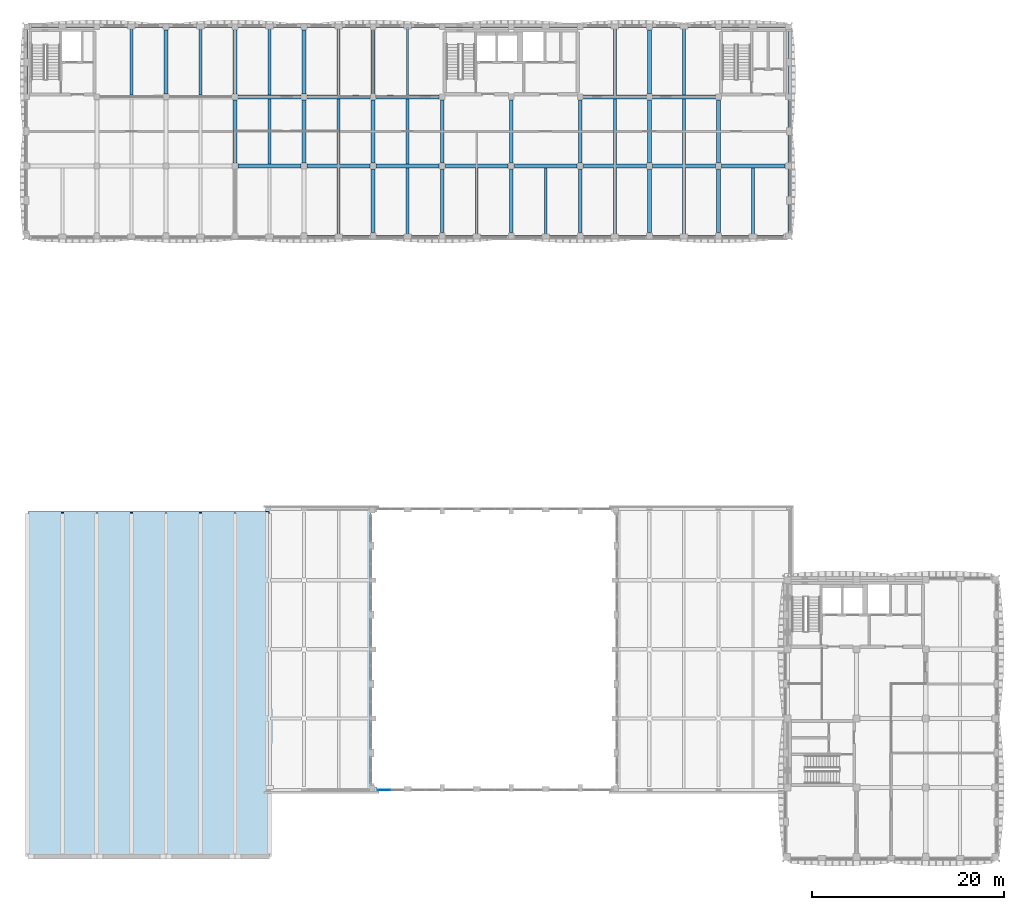
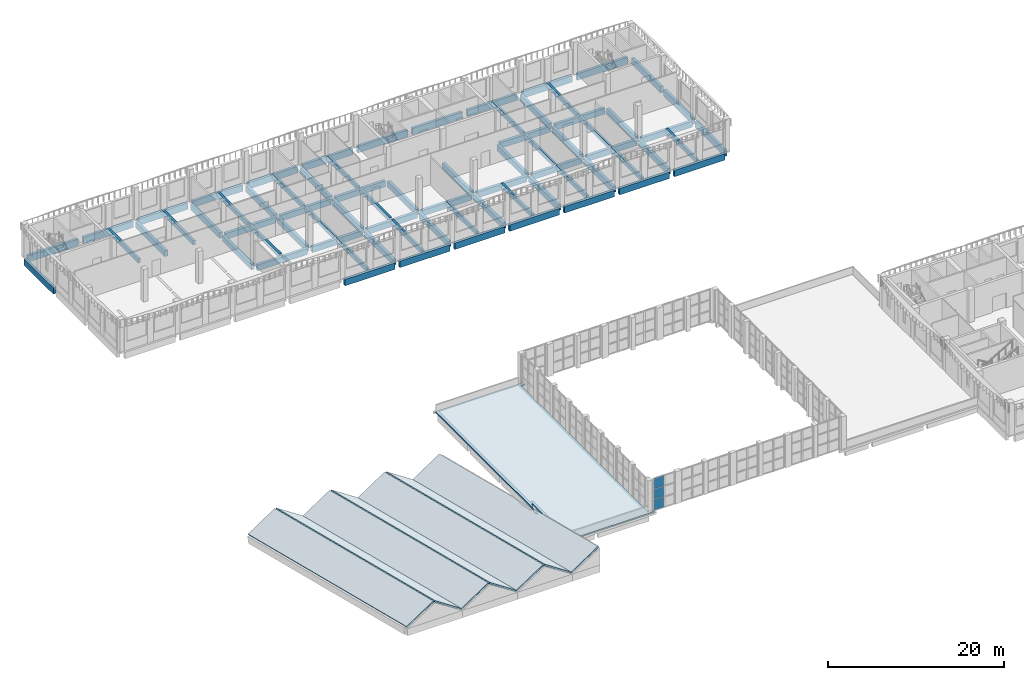
# One storey, part 9 of 44: 73 beams, 8 slabs, 3 plates, 1 element without a shape of its own.
"""IFC4 building model written with IfcOpenShell, lengths in metres."""

from ifc_helpers import new_model, si_unit, direction, frame, origin, origin_2d, place, context, subcontext, project, spatial, polyline, rectangle, outline, extrude, material, layer, layer_set, material_profile, profile_set, type_object, element, aggregate, save


model = new_model("IFC4")

# Units and contexts
model_context = context("Model", 3, precision=1e-05, world=origin(), true_north=direction((0.0, 1.0)))
body_context = subcontext(model_context, "Body", "Model", "MODEL_VIEW")
ifc_project = project(units=[si_unit("LENGTHUNIT", "METRE"), si_unit("AREAUNIT", "SQUARE_METRE"), si_unit("VOLUMEUNIT", "CUBIC_METRE"), si_unit("PLANEANGLEUNIT", "RADIAN"), si_unit("MASSUNIT", "GRAM", prefix="KILO")], contexts=[model_context])

# Site, building, storey
site_placement = place(None, origin())
site = spatial("IfcSite", under=ifc_project, at=site_placement, CompositionType="ELEMENT")
building_placement = place(site_placement, origin())
building = spatial("IfcBuilding", under=site, at=building_placement, Name="Ussher Court Research Institute", CompositionType="ELEMENT")
storey_placement = place(building_placement, frame((0.0, 0.0, 18.89990234375)))
storey = spatial("IfcBuildingStorey", under=building, at=storey_placement, Name="L04", CompositionType="ELEMENT", Elevation=18.89990234375)

# Beams
ifc_material_1 = material(Name="Concrete C35/45", Category="concrete")
ifc_material_profile_1 = material_profile(ifc_material_1, rectangle(XDim=0.300048828125, YDim=0.60009765625, at=origin_2d()), Name="RC 300x600")
ifc_profile_set_1 = profile_set([ifc_material_profile_1], Name="Concrete C35/45")
beam_type_1 = type_object("IfcBeamType", Name="RC 300x600 beam", PredefinedType="BEAM", material=ifc_profile_set_1)
for number, where, z_axis, x_axis, name in (
    (1, (13.800048828125, 83.39990234375, -0.2998046875), (0.0, 1.0, 0.0), (-1.0, 0.0, 0.0), "B3 V5 L04-04"),
    (2, (21.0, 83.39990234375, -0.2998046875), (0.0, 1.0, 0.0), (-1.0, 0.0, 0.0), "B3 V5 L04-07"),
):
    element("IfcBeam", number, at=place(storey_placement, frame(where, z_axis=z_axis, x_axis=x_axis)), inside=storey, type_object=beam_type_1, Name=name, PredefinedType="BEAM", context=body_context, shape_type="SweptSolid", body=[
        extrude(rectangle(XDim=0.300048828125, YDim=0.60009765625, at=origin_2d()), origin(), (0.0, 0.0, 1.0), 7.050048828125),
    ])
beam_1_placement = place(storey_placement, frame((28.199951171875, 76.199951171875, -0.2998046875), z_axis=(0.0, 1.0, 0.0), x_axis=(-1.0, 0.0, 0.0)))
element("IfcBeam", 3, at=beam_1_placement, inside=storey, type_object=beam_type_1, Name="B3 V5 L04-09", PredefinedType="BEAM", context=body_context, shape_type="SweptSolid", body=[
    extrude(rectangle(XDim=0.300048828125, YDim=0.60009765625, at=origin_2d()), origin(), (0.0, 0.0, 1.0), 6.800048828125),
])
for number, where, z_axis, x_axis, name in (
    (4, (28.199951171875, 83.39990234375, -0.2998046875), (0.0, 1.0, 0.0), (-1.0, 0.0, 0.0), "B3 V5 L04-10"),
    (5, (35.39990234375, 68.75, -0.2998046875), (0.0, 1.0, 0.0), (-1.0, 0.0, 0.0), "B3 V5 L04-11"),
):
    element("IfcBeam", number, at=place(storey_placement, frame(where, z_axis=z_axis, x_axis=x_axis)), inside=storey, type_object=beam_type_1, Name=name, PredefinedType="BEAM", context=body_context, shape_type="SweptSolid", body=[
        extrude(rectangle(XDim=0.300048828125, YDim=0.60009765625, at=origin_2d()), origin(), (0.0, 0.0, 1.0), 7.050048828125),
    ])
beam_2_placement = place(storey_placement, frame((35.39990234375, 76.199951171875, -0.2998046875), z_axis=(0.0, 1.0, 0.0), x_axis=(-1.0, 0.0, 0.0)))
element("IfcBeam", 6, at=beam_2_placement, inside=storey, type_object=beam_type_1, Name="B3 V5 L04-12", PredefinedType="BEAM", context=body_context, shape_type="SweptSolid", body=[
    extrude(rectangle(XDim=0.300048828125, YDim=0.60009765625, at=origin_2d()), origin(), (0.0, 0.0, 1.0), 6.800048828125),
])
for number, where, z_axis, x_axis, name in (
    (7, (35.39990234375, 83.39990234375, -0.2998046875), (0.0, 1.0, 0.0), (-1.0, 0.0, 0.0), "B3 V5 L04-13"),
    (8, (42.60009765625, 68.75, -0.2998046875), (0.0, 1.0, 0.0), (-1.0, 0.0, 0.0), "B3 V5 L04-14"),
):
    element("IfcBeam", number, at=place(storey_placement, frame(where, z_axis=z_axis, x_axis=x_axis)), inside=storey, type_object=beam_type_1, Name=name, PredefinedType="BEAM", context=body_context, shape_type="SweptSolid", body=[
        extrude(rectangle(XDim=0.300048828125, YDim=0.60009765625, at=origin_2d()), origin(), (0.0, 0.0, 1.0), 7.050048828125),
    ])
beam_3_placement = place(storey_placement, frame((42.60009765625, 76.199951171875, -0.2998046875), z_axis=(0.0, 1.0, 0.0), x_axis=(-1.0, 0.0, 0.0)))
element("IfcBeam", 9, at=beam_3_placement, inside=storey, type_object=beam_type_1, Name="B3 V5 L04-15", PredefinedType="BEAM", context=body_context, shape_type="SweptSolid", body=[
    extrude(rectangle(XDim=0.300048828125, YDim=0.60009765625, at=origin_2d()), origin(), (0.0, 0.0, 1.0), 6.800048828125),
])
for number, where, z_axis, x_axis, name in (
    (10, (42.60009765625, 83.39990234375, -0.2998046875), (0.0, 1.0, 0.0), (-1.0, 0.0, 0.0), "B3 V5 L04-16"),
    (11, (49.800048828125, 68.75, -0.2998046875), (0.0, 1.0, 0.0), (-1.0, 0.0, 0.0), "B3 V5 L04-17"),
    (12, (57.0, 68.75, -0.2998046875), (0.0, 1.0, 0.0), (-1.0, 0.0, 0.0), "B3 V5 L04-18"),
    (13, (64.199951171875, 68.75, -0.2998046875), (0.0, 1.0, 0.0), (-1.0, 0.0, 0.0), "B3 V5 L04-19"),
):
    element("IfcBeam", number, at=place(storey_placement, frame(where, z_axis=z_axis, x_axis=x_axis)), inside=storey, type_object=beam_type_1, Name=name, PredefinedType="BEAM", context=body_context, shape_type="SweptSolid", body=[
        extrude(rectangle(XDim=0.300048828125, YDim=0.60009765625, at=origin_2d()), origin(), (0.0, 0.0, 1.0), 7.050048828125),
    ])
beam_4_placement = place(storey_placement, frame((64.199951171875, 76.199951171875, -0.2998046875), z_axis=(0.0, 1.0, 0.0), x_axis=(-1.0, 0.0, 0.0)))
element("IfcBeam", 14, at=beam_4_placement, inside=storey, type_object=beam_type_1, Name="B3 V5 L04-20", PredefinedType="BEAM", context=body_context, shape_type="SweptSolid", body=[
    extrude(rectangle(XDim=0.300048828125, YDim=0.60009765625, at=origin_2d()), origin(), (0.0, 0.0, 1.0), 6.800048828125),
])
for number, where, z_axis, x_axis, name in (
    (15, (64.199951171875, 83.39990234375, -0.2998046875), (0.0, 1.0, 0.0), (-1.0, 0.0, 0.0), "B3 V5 L04-21"),
    (16, (71.39990234375, 68.75, -0.2998046875), (0.0, 1.0, 0.0), (-1.0, 0.0, 0.0), "B3 V5 L04-22"),
):
    element("IfcBeam", number, at=place(storey_placement, frame(where, z_axis=z_axis, x_axis=x_axis)), inside=storey, type_object=beam_type_1, Name=name, PredefinedType="BEAM", context=body_context, shape_type="SweptSolid", body=[
        extrude(rectangle(XDim=0.300048828125, YDim=0.60009765625, at=origin_2d()), origin(), (0.0, 0.0, 1.0), 7.050048828125),
    ])
beam_5_placement = place(storey_placement, frame((71.39990234375, 76.199951171875, -0.2998046875), z_axis=(0.0, 1.0, 0.0), x_axis=(-1.0, 0.0, 0.0)))
element("IfcBeam", 17, at=beam_5_placement, inside=storey, type_object=beam_type_1, Name="B3 V5 L04-23", PredefinedType="BEAM", context=body_context, shape_type="SweptSolid", body=[
    extrude(rectangle(XDim=0.300048828125, YDim=0.60009765625, at=origin_2d()), origin(), (0.0, 0.0, 1.0), 6.800048828125),
])
for number, where, z_axis, x_axis, name in (
    (18, (71.39990234375, 83.39990234375, -0.2998046875), (0.0, 1.0, 0.0), (-1.0, 0.0, 0.0), "B3 V5 L04-24"),
    (19, (78.60009765625, 68.75, -0.2998046875), (0.0, 1.0, 0.0), (-1.0, 0.0, 0.0), "B3 V5 L04-25"),
):
    element("IfcBeam", number, at=place(storey_placement, frame(where, z_axis=z_axis, x_axis=x_axis)), inside=storey, type_object=beam_type_1, Name=name, PredefinedType="BEAM", context=body_context, shape_type="SweptSolid", body=[
        extrude(rectangle(XDim=0.300048828125, YDim=0.60009765625, at=origin_2d()), origin(), (0.0, 0.0, 1.0), 7.050048828125),
    ])
ifc_material_2 = material(Name="Concrete C35/45", Category="concrete")
ifc_material_profile_2 = material_profile(ifc_material_2, rectangle(XDim=0.35009765625, YDim=0.89990234375, at=origin_2d()), Name="RC 350x900")
ifc_profile_set_2 = profile_set([ifc_material_profile_2], Name="Concrete C35/45")
beam_type_2 = type_object("IfcBeamType", Name="RC 350x900 beam", PredefinedType="BEAM", material=ifc_profile_set_2)
for number, where, z_axis, x_axis, name in (
    (20, (32.125, 68.574951171875, -0.64990234375), (1.0, 0.0, 0.0), (0.0, 1.0, 0.0), "SB1 V5 L04-05"),
    (21, (39.324951171875, 68.574951171875, -0.64990234375), (1.0, 0.0, 0.0), (0.0, 1.0, 0.0), "SB1 V5 L04-06"),
    (22, (46.52490234375, 68.574951171875, -0.64990234375), (1.0, 0.0, 0.0), (0.0, 1.0, 0.0), "SB1 V5 L04-07"),
):
    element("IfcBeam", number, at=place(storey_placement, frame(where, z_axis=z_axis, x_axis=x_axis)), inside=storey, type_object=beam_type_2, Name=name, PredefinedType="BEAM", context=body_context, shape_type="SweptSolid", body=[
        extrude(rectangle(XDim=0.35009765625, YDim=0.89990234375, at=origin_2d()), origin(), (0.0, 0.0, 1.0), 6.550048828125),
    ])
beam_6_placement = place(storey_placement, frame((53.72509765625, 68.574951171875, -0.64990234375), z_axis=(1.0, 0.0, 0.0), x_axis=(0.0, 1.0, 0.0)))
element("IfcBeam", 23, at=beam_6_placement, inside=storey, type_object=beam_type_2, Name="SB1 V5 L04-08", PredefinedType="BEAM", context=body_context, shape_type="SweptSolid", body=[
    extrude(rectangle(XDim=0.35009765625, YDim=0.89990234375, at=origin_2d()), origin(), (0.0, 0.0, 1.0), 6.5498046875),
])
for number, where, z_axis, x_axis, name in (
    (24, (60.925048828125, 68.574951171875, -0.64990234375), (1.0, 0.0, 0.0), (0.0, 1.0, 0.0), "SB1 V5 L04-09"),
    (25, (68.125, 68.574951171875, -0.64990234375), (1.0, 0.0, 0.0), (0.0, 1.0, 0.0), "SB1 V5 L04-10"),
):
    element("IfcBeam", number, at=place(storey_placement, frame(where, z_axis=z_axis, x_axis=x_axis)), inside=storey, type_object=beam_type_2, Name=name, PredefinedType="BEAM", context=body_context, shape_type="SweptSolid", body=[
        extrude(rectangle(XDim=0.35009765625, YDim=0.89990234375, at=origin_2d()), origin(), (0.0, 0.0, 1.0), 6.550048828125),
    ])
for number, where, z_axis, x_axis, name in (
    (26, (75.324951171875, 68.574951171875, -0.64990234375), (1.0, 0.0, 0.0), (0.0, 1.0, 0.0), "SB1 V5 L04-11"),
    (27, (3.25, 90.625, -0.64990234375), (1.0, 0.0, 0.0), (0.0, 1.0, 0.0), "SB1 V5 L04-12"),
):
    element("IfcBeam", number, at=place(storey_placement, frame(where, z_axis=z_axis, x_axis=x_axis)), inside=storey, type_object=beam_type_2, Name=name, PredefinedType="BEAM", context=body_context, shape_type="SweptSolid", body=[
        extrude(rectangle(XDim=0.35009765625, YDim=0.89990234375, at=origin_2d()), origin(), (0.0, 0.0, 1.0), 6.625),
    ])
beam_7_placement = place(storey_placement, frame((10.52490234375, 90.625, -0.64990234375), z_axis=(1.0, 0.0, 0.0), x_axis=(0.0, 1.0, 0.0)))
element("IfcBeam", 28, at=beam_7_placement, inside=storey, type_object=beam_type_2, Name="SB1 V5 L04-13", PredefinedType="BEAM", context=body_context, shape_type="SweptSolid", body=[
    extrude(rectangle(XDim=0.35009765625, YDim=0.89990234375, at=origin_2d()), origin(), (0.0, 0.0, 1.0), 6.550048828125),
])
beam_8_placement = place(storey_placement, frame((17.72509765625, 90.625, -0.64990234375), z_axis=(1.0, 0.0, 0.0), x_axis=(0.0, 1.0, 0.0)))
element("IfcBeam", 29, at=beam_8_placement, inside=storey, type_object=beam_type_2, Name="SB1 V5 L04-14", PredefinedType="BEAM", context=body_context, shape_type="SweptSolid", body=[
    extrude(rectangle(XDim=0.35009765625, YDim=0.89990234375, at=origin_2d()), origin(), (0.0, 0.0, 1.0), 6.5498046875),
])
for number, where, z_axis, x_axis, name in (
    (30, (24.925048828125, 90.625, -0.64990234375), (1.0, 0.0, 0.0), (0.0, 1.0, 0.0), "SB1 V5 L04-15"),
    (31, (32.125, 90.625, -0.64990234375), (1.0, 0.0, 0.0), (0.0, 1.0, 0.0), "SB1 V5 L04-16"),
    (32, (39.324951171875, 90.625, -0.64990234375), (1.0, 0.0, 0.0), (0.0, 1.0, 0.0), "SB1 V5 L04-17"),
    (33, (46.52490234375, 90.625, -0.64990234375), (1.0, 0.0, 0.0), (0.0, 1.0, 0.0), "SB1 V5 L04-18"),
):
    element("IfcBeam", number, at=place(storey_placement, frame(where, z_axis=z_axis, x_axis=x_axis)), inside=storey, type_object=beam_type_2, Name=name, PredefinedType="BEAM", context=body_context, shape_type="SweptSolid", body=[
        extrude(rectangle(XDim=0.35009765625, YDim=0.89990234375, at=origin_2d()), origin(), (0.0, 0.0, 1.0), 6.550048828125),
    ])
beam_9_placement = place(storey_placement, frame((53.72509765625, 90.625, -0.64990234375), z_axis=(1.0, 0.0, 0.0), x_axis=(0.0, 1.0, 0.0)))
element("IfcBeam", 34, at=beam_9_placement, inside=storey, type_object=beam_type_2, Name="SB1 V5 L04-19", PredefinedType="BEAM", context=body_context, shape_type="SweptSolid", body=[
    extrude(rectangle(XDim=0.35009765625, YDim=0.89990234375, at=origin_2d()), origin(), (0.0, 0.0, 1.0), 6.5498046875),
])
for number, where, z_axis, x_axis, name in (
    (35, (60.925048828125, 90.625, -0.64990234375), (1.0, 0.0, 0.0), (0.0, 1.0, 0.0), "SB1 V5 L04-20"),
    (36, (68.125, 90.625, -0.64990234375), (1.0, 0.0, 0.0), (0.0, 1.0, 0.0), "SB1 V5 L04-21"),
):
    element("IfcBeam", number, at=place(storey_placement, frame(where, z_axis=z_axis, x_axis=x_axis)), inside=storey, type_object=beam_type_2, Name=name, PredefinedType="BEAM", context=body_context, shape_type="SweptSolid", body=[
        extrude(rectangle(XDim=0.35009765625, YDim=0.89990234375, at=origin_2d()), origin(), (0.0, 0.0, 1.0), 6.550048828125),
    ])
for number, where, z_axis, x_axis, name in (
    (37, (75.324951171875, 90.625, -0.64990234375), (1.0, 0.0, 0.0), (0.0, 1.0, 0.0), "SB1 V5 L04-22"),
    (38, (2.77490234375, 83.52490234375, -0.64990234375), (0.0, 1.0, 0.0), (-1.0, 0.0, 0.0), "SB1 V5 L04-25"),
    (39, (82.425048828125, 69.050048828125, -0.64990234375), (0.0, 1.0, 0.0), (-1.0, 0.0, 0.0), "SB1 V5 L04-26"),
):
    element("IfcBeam", number, at=place(storey_placement, frame(where, z_axis=z_axis, x_axis=x_axis)), inside=storey, type_object=beam_type_2, Name=name, PredefinedType="BEAM", context=body_context, shape_type="SweptSolid", body=[
        extrude(rectangle(XDim=0.35009765625, YDim=0.89990234375, at=origin_2d()), origin(), (0.0, 0.0, 1.0), 6.625),
    ])
beam_10_placement = place(storey_placement, frame((82.425048828125, 76.324951171875, -0.64990234375), z_axis=(0.0, 1.0, 0.0), x_axis=(-1.0, 0.0, 0.0)))
element("IfcBeam", 40, at=beam_10_placement, inside=storey, type_object=beam_type_2, Name="SB1 V5 L04-27", PredefinedType="BEAM", context=body_context, shape_type="SweptSolid", body=[
    extrude(rectangle(XDim=0.35009765625, YDim=0.89990234375, at=origin_2d()), origin(), (0.0, 0.0, 1.0), 6.550048828125),
])
beam_11_placement = place(storey_placement, frame((82.425048828125, 83.52490234375, -0.64990234375), z_axis=(0.0, 1.0, 0.0), x_axis=(-1.0, 0.0, 0.0)))
element("IfcBeam", 41, at=beam_11_placement, inside=storey, type_object=beam_type_2, Name="SB1 V5 L04-28", PredefinedType="BEAM", context=body_context, shape_type="SweptSolid", body=[
    extrude(rectangle(XDim=0.35009765625, YDim=0.89990234375, at=origin_2d()), origin(), (0.0, 0.0, 1.0), 6.625),
])
ifc_material_3 = material(Name="Concrete C35/45", Category="concrete")
ifc_material_profile_3 = material_profile(ifc_material_3, rectangle(XDim=0.39990234375, YDim=0.800048828125, at=origin_2d()), Name="RC 400x800")
ifc_profile_set_3 = profile_set([ifc_material_profile_3], Name="Concrete C35/45")
beam_type_3 = type_object("IfcBeamType", Name="RC 400x800 beam", PredefinedType="BEAM", material=ifc_profile_set_3)
for number, where, z_axis, x_axis, name in (
    (42, (24.925048828125, 76.0, -0.599853515625), (1.0, 0.0, 0.0), (0.0, 1.0, 0.0), "B17 V5 L04-04"),
    (43, (32.125, 76.0, -0.599853515625), (1.0, 0.0, 0.0), (0.0, 1.0, 0.0), "B17 V5 L04-05"),
    (44, (39.324951171875, 76.0, -0.599853515625), (1.0, 0.0, 0.0), (0.0, 1.0, 0.0), "B17 V5 L04-06"),
    (45, (46.52490234375, 76.0, -0.599853515625), (1.0, 0.0, 0.0), (0.0, 1.0, 0.0), "B17 V5 L04-07"),
):
    element("IfcBeam", number, at=place(storey_placement, frame(where, z_axis=z_axis, x_axis=x_axis)), inside=storey, type_object=beam_type_3, Name=name, PredefinedType="BEAM", context=body_context, shape_type="SweptSolid", body=[
        extrude(rectangle(XDim=0.39990234375, YDim=0.800048828125, at=origin_2d()), origin(), (0.0, 0.0, 1.0), 6.550048828125),
    ])
beam_12_placement = place(storey_placement, frame((53.72509765625, 76.0, -0.599853515625), z_axis=(1.0, 0.0, 0.0), x_axis=(0.0, 1.0, 0.0)))
element("IfcBeam", 46, at=beam_12_placement, inside=storey, type_object=beam_type_3, Name="B17 V5 L04-08", PredefinedType="BEAM", context=body_context, shape_type="SweptSolid", body=[
    extrude(rectangle(XDim=0.39990234375, YDim=0.800048828125, at=origin_2d()), origin(), (0.0, 0.0, 1.0), 6.5498046875),
])
for number, where, z_axis, x_axis, name in (
    (47, (60.925048828125, 76.0, -0.599853515625), (1.0, 0.0, 0.0), (0.0, 1.0, 0.0), "B17 V5 L04-09"),
    (48, (68.125, 76.0, -0.599853515625), (1.0, 0.0, 0.0), (0.0, 1.0, 0.0), "B17 V5 L04-10"),
):
    element("IfcBeam", number, at=place(storey_placement, frame(where, z_axis=z_axis, x_axis=x_axis)), inside=storey, type_object=beam_type_3, Name=name, PredefinedType="BEAM", context=body_context, shape_type="SweptSolid", body=[
        extrude(rectangle(XDim=0.39990234375, YDim=0.800048828125, at=origin_2d()), origin(), (0.0, 0.0, 1.0), 6.550048828125),
    ])
beam_13_placement = place(storey_placement, frame((75.324951171875, 76.0, -0.599853515625), z_axis=(1.0, 0.0, 0.0), x_axis=(0.0, 1.0, 0.0)))
element("IfcBeam", 49, at=beam_13_placement, inside=storey, type_object=beam_type_3, Name="B17 V5 L04-11", PredefinedType="BEAM", context=body_context, shape_type="SweptSolid", body=[
    extrude(rectangle(XDim=0.39990234375, YDim=0.800048828125, at=origin_2d()), origin(), (0.0, 0.0, 1.0), 6.625),
])
for number, where, z_axis, x_axis, name in (
    (50, (24.925048828125, 83.199951171875, -0.599853515625), (1.0, 0.0, 0.0), (0.0, 1.0, 0.0), "B17 V5 L04-14"),
    (51, (32.125, 83.199951171875, -0.599853515625), (1.0, 0.0, 0.0), (0.0, 1.0, 0.0), "B17 V5 L04-15"),
    (52, (39.324951171875, 83.199951171875, -0.599853515625), (1.0, 0.0, 0.0), (0.0, 1.0, 0.0), "B17 V5 L04-16"),
    (53, (60.925048828125, 83.199951171875, -0.599853515625), (1.0, 0.0, 0.0), (0.0, 1.0, 0.0), "B17 V5 L04-17"),
    (54, (68.125, 83.199951171875, -0.599853515625), (1.0, 0.0, 0.0), (0.0, 1.0, 0.0), "B17 V5 L04-18"),
):
    element("IfcBeam", number, at=place(storey_placement, frame(where, z_axis=z_axis, x_axis=x_axis)), inside=storey, type_object=beam_type_3, Name=name, PredefinedType="BEAM", context=body_context, shape_type="SweptSolid", body=[
        extrude(rectangle(XDim=0.39990234375, YDim=0.800048828125, at=origin_2d()), origin(), (0.0, 0.0, 1.0), 6.550048828125),
    ])
beam_14_placement = place(storey_placement, frame((17.39990234375, 83.52490234375, -0.599853515625), z_axis=(0.0, 1.0, 0.0), x_axis=(-1.0, 0.0, 0.0)))
element("IfcBeam", 55, at=beam_14_placement, inside=storey, type_object=beam_type_3, Name="B17 V5 L04-23", PredefinedType="BEAM", context=body_context, shape_type="SweptSolid", body=[
    extrude(rectangle(XDim=0.39990234375, YDim=0.800048828125, at=origin_2d()), origin(), (0.0, 0.0, 1.0), 6.625),
])
beam_15_placement = place(storey_placement, frame((24.60009765625, 76.324951171875, -0.599853515625), z_axis=(0.0, 1.0, 0.0), x_axis=(-1.0, 0.0, 0.0)))
element("IfcBeam", 56, at=beam_15_placement, inside=storey, type_object=beam_type_3, Name="B17 V5 L04-25", PredefinedType="BEAM", context=body_context, shape_type="SweptSolid", body=[
    extrude(rectangle(XDim=0.39990234375, YDim=0.800048828125, at=origin_2d()), origin(), (0.0, 0.0, 1.0), 6.550048828125),
])
beam_16_placement = place(storey_placement, frame((24.60009765625, 83.52490234375, -0.599853515625), z_axis=(0.0, 1.0, 0.0), x_axis=(-1.0, 0.0, 0.0)))
element("IfcBeam", 57, at=beam_16_placement, inside=storey, type_object=beam_type_3, Name="B17 V5 L04-26", PredefinedType="BEAM", context=body_context, shape_type="SweptSolid", body=[
    extrude(rectangle(XDim=0.39990234375, YDim=0.800048828125, at=origin_2d()), origin(), (0.0, 0.0, 1.0), 6.625),
])
beam_17_placement = place(storey_placement, frame((31.800048828125, 76.324951171875, -0.599853515625), z_axis=(0.0, 1.0, 0.0), x_axis=(-1.0, 0.0, 0.0)))
element("IfcBeam", 58, at=beam_17_placement, inside=storey, type_object=beam_type_3, Name="B17 V5 L04-28", PredefinedType="BEAM", context=body_context, shape_type="SweptSolid", body=[
    extrude(rectangle(XDim=0.39990234375, YDim=0.800048828125, at=origin_2d()), origin(), (0.0, 0.0, 1.0), 6.550048828125),
])
for number, where, z_axis, x_axis, name in (
    (59, (31.800048828125, 83.52490234375, -0.599853515625), (0.0, 1.0, 0.0), (-1.0, 0.0, 0.0), "B17 V5 L04-29"),
    (60, (39.0, 69.050048828125, -0.599853515625), (0.0, 1.0, 0.0), (-1.0, 0.0, 0.0), "B17 V5 L04-30"),
):
    element("IfcBeam", number, at=place(storey_placement, frame(where, z_axis=z_axis, x_axis=x_axis)), inside=storey, type_object=beam_type_3, Name=name, PredefinedType="BEAM", context=body_context, shape_type="SweptSolid", body=[
        extrude(rectangle(XDim=0.39990234375, YDim=0.800048828125, at=origin_2d()), origin(), (0.0, 0.0, 1.0), 6.625),
    ])
beam_18_placement = place(storey_placement, frame((39.0, 76.324951171875, -0.599853515625), z_axis=(0.0, 1.0, 0.0), x_axis=(-1.0, 0.0, 0.0)))
element("IfcBeam", 61, at=beam_18_placement, inside=storey, type_object=beam_type_3, Name="B17 V5 L04-31", PredefinedType="BEAM", context=body_context, shape_type="SweptSolid", body=[
    extrude(rectangle(XDim=0.39990234375, YDim=0.800048828125, at=origin_2d()), origin(), (0.0, 0.0, 1.0), 6.550048828125),
])
for number, where, z_axis, x_axis, name in (
    (62, (39.0, 83.52490234375, -0.599853515625), (0.0, 1.0, 0.0), (-1.0, 0.0, 0.0), "B17 V5 L04-32"),
    (63, (46.199951171875, 69.050048828125, -0.599853515625), (0.0, 1.0, 0.0), (-1.0, 0.0, 0.0), "B17 V5 L04-33"),
):
    element("IfcBeam", number, at=place(storey_placement, frame(where, z_axis=z_axis, x_axis=x_axis)), inside=storey, type_object=beam_type_3, Name=name, PredefinedType="BEAM", context=body_context, shape_type="SweptSolid", body=[
        extrude(rectangle(XDim=0.39990234375, YDim=0.800048828125, at=origin_2d()), origin(), (0.0, 0.0, 1.0), 6.625),
    ])
beam_19_placement = place(storey_placement, frame((46.199951171875, 76.324951171875, -0.599853515625), z_axis=(0.0, 1.0, 0.0), x_axis=(-1.0, 0.0, 0.0)))
element("IfcBeam", 64, at=beam_19_placement, inside=storey, type_object=beam_type_3, Name="B17 V5 L04-34", PredefinedType="BEAM", context=body_context, shape_type="SweptSolid", body=[
    extrude(rectangle(XDim=0.39990234375, YDim=0.800048828125, at=origin_2d()), origin(), (0.0, 0.0, 1.0), 6.550048828125),
])
beam_20_placement = place(storey_placement, frame((53.39990234375, 69.050048828125, -0.599853515625), z_axis=(0.0, 1.0, 0.0), x_axis=(-1.0, 0.0, 0.0)))
element("IfcBeam", 65, at=beam_20_placement, inside=storey, type_object=beam_type_3, Name="B17 V5 L04-35", PredefinedType="BEAM", context=body_context, shape_type="SweptSolid", body=[
    extrude(rectangle(XDim=0.39990234375, YDim=0.800048828125, at=origin_2d()), origin(), (0.0, 0.0, 1.0), 6.625),
])
beam_21_placement = place(storey_placement, frame((53.39990234375, 76.324951171875, -0.599853515625), z_axis=(0.0, 1.0, 0.0), x_axis=(-1.0, 0.0, 0.0)))
element("IfcBeam", 66, at=beam_21_placement, inside=storey, type_object=beam_type_3, Name="B17 V5 L04-36", PredefinedType="BEAM", context=body_context, shape_type="SweptSolid", body=[
    extrude(rectangle(XDim=0.39990234375, YDim=0.800048828125, at=origin_2d()), origin(), (0.0, 0.0, 1.0), 6.550048828125),
])
beam_22_placement = place(storey_placement, frame((60.60009765625, 69.050048828125, -0.599853515625), z_axis=(0.0, 1.0, 0.0), x_axis=(-1.0, 0.0, 0.0)))
element("IfcBeam", 67, at=beam_22_placement, inside=storey, type_object=beam_type_3, Name="B17 V5 L04-37", PredefinedType="BEAM", context=body_context, shape_type="SweptSolid", body=[
    extrude(rectangle(XDim=0.39990234375, YDim=0.800048828125, at=origin_2d()), origin(), (0.0, 0.0, 1.0), 6.625),
])
beam_23_placement = place(storey_placement, frame((60.60009765625, 76.324951171875, -0.599853515625), z_axis=(0.0, 1.0, 0.0), x_axis=(-1.0, 0.0, 0.0)))
element("IfcBeam", 68, at=beam_23_placement, inside=storey, type_object=beam_type_3, Name="B17 V5 L04-38", PredefinedType="BEAM", context=body_context, shape_type="SweptSolid", body=[
    extrude(rectangle(XDim=0.39990234375, YDim=0.800048828125, at=origin_2d()), origin(), (0.0, 0.0, 1.0), 6.550048828125),
])
beam_24_placement = place(storey_placement, frame((67.800048828125, 69.050048828125, -0.599853515625), z_axis=(0.0, 1.0, 0.0), x_axis=(-1.0, 0.0, 0.0)))
element("IfcBeam", 69, at=beam_24_placement, inside=storey, type_object=beam_type_3, Name="B17 V5 L04-39", PredefinedType="BEAM", context=body_context, shape_type="SweptSolid", body=[
    extrude(rectangle(XDim=0.39990234375, YDim=0.800048828125, at=origin_2d()), origin(), (0.0, 0.0, 1.0), 6.625),
])
beam_25_placement = place(storey_placement, frame((67.800048828125, 76.324951171875, -0.599853515625), z_axis=(0.0, 1.0, 0.0), x_axis=(-1.0, 0.0, 0.0)))
element("IfcBeam", 70, at=beam_25_placement, inside=storey, type_object=beam_type_3, Name="B17 V5 L04-40", PredefinedType="BEAM", context=body_context, shape_type="SweptSolid", body=[
    extrude(rectangle(XDim=0.39990234375, YDim=0.800048828125, at=origin_2d()), origin(), (0.0, 0.0, 1.0), 6.550048828125),
])
for number, where, z_axis, x_axis, name in (
    (71, (67.800048828125, 83.52490234375, -0.599853515625), (0.0, 1.0, 0.0), (-1.0, 0.0, 0.0), "B17 V5 L04-41"),
    (72, (75.0, 69.050048828125, -0.599853515625), (0.0, 1.0, 0.0), (-1.0, 0.0, 0.0), "B17 V5 L04-42"),
):
    element("IfcBeam", number, at=place(storey_placement, frame(where, z_axis=z_axis, x_axis=x_axis)), inside=storey, type_object=beam_type_3, Name=name, PredefinedType="BEAM", context=body_context, shape_type="SweptSolid", body=[
        extrude(rectangle(XDim=0.39990234375, YDim=0.800048828125, at=origin_2d()), origin(), (0.0, 0.0, 1.0), 6.625),
    ])
beam_26_placement = place(storey_placement, frame((75.0, 76.324951171875, -0.599853515625), z_axis=(0.0, 1.0, 0.0), x_axis=(-1.0, 0.0, 0.0)))
element("IfcBeam", 73, at=beam_26_placement, inside=storey, type_object=beam_type_3, Name="B17 V5 L04-43", PredefinedType="BEAM", context=body_context, shape_type="SweptSolid", body=[
    extrude(rectangle(XDim=0.39990234375, YDim=0.800048828125, at=origin_2d()), origin(), (0.0, 0.0, 1.0), 6.550048828125),
])

# Slabs
ifc_material_4 = material(Name="Concrete C35/45", Category="concrete")
ifc_layer_1 = layer(ifc_material_4, 0.179931640625)
ifc_layer_set_1 = layer_set([ifc_layer_1], Name="Concrete C35/45")
slab_type_1 = type_object("IfcSlabType", Name="Folded roof plate 180", PredefinedType="ROOF", material=ifc_layer_set_1)
slab_1_placement = place(storey_placement, frame((3.0, 4.0, 0.900146484375), z_axis=(-0.54303532351, 0.203659554075, 0.814638216299), x_axis=(0.0, 0.970142500145, -0.242535625036)))
element("IfcSlab", 74, at=slab_1_placement, inside=storey, type_object=slab_type_1, Name="FP180 V1 L04-01", PredefinedType="ROOF", context=body_context, shape_type="SweptSolid", body=[
    extrude(outline(polyline([(0.0, 0.0), (37.107950630558946, 0.0), (36.54205390974053, -4.168397128646482), (-0.5658967208184166, -4.1683971286464825), (0.0, 0.0)])), origin(), (0.0, 0.0, -1.0), 0.179931640625),
])
slab_2_placement = place(storey_placement, frame((10.199951171875, 4.0, 0.900146484375), z_axis=(0.54303532351, 0.203659554075, 0.814638216299), x_axis=(0.0, 0.970142500145, -0.242535625036)))
element("IfcSlab", 75, at=slab_2_placement, inside=storey, type_object=slab_type_1, Name="FP180 V1 L04-02", PredefinedType="ROOF", context=body_context, shape_type="SweptSolid", body=[
    extrude(outline(polyline([(0.0, 0.0), (37.107950630558946, 0.0), (36.54205390974053, 4.168397128646482), (-0.5658967208184166, 4.1683971286464825), (0.0, 0.0)])), origin(), (0.0, 0.0, -1.0), 0.179931640625),
])
slab_3_placement = place(storey_placement, frame((10.199951171875, 4.0, 0.900146484375), z_axis=(-0.54303532351, 0.203659554075, 0.814638216299), x_axis=(0.0, 0.970142500145, -0.242535625036)))
element("IfcSlab", 76, at=slab_3_placement, inside=storey, type_object=slab_type_1, Name="FP180 V1 L04-03", PredefinedType="ROOF", context=body_context, shape_type="SweptSolid", body=[
    extrude(outline(polyline([(0.0, 0.0), (37.107950630558946, 0.0), (36.54205390974053, -4.168397128646482), (-0.5658967208184166, -4.1683971286464825), (0.0, 0.0)])), origin(), (0.0, 0.0, -1.0), 0.179931640625),
])
slab_4_placement = place(storey_placement, frame((17.39990234375, 4.0, 0.900146484375), z_axis=(0.543062031745, 0.20365536484, 0.814621459359), x_axis=(0.0, 0.970142500145, -0.242535625036)))
element("IfcSlab", 77, at=slab_4_placement, inside=storey, type_object=slab_type_1, Name="FP180 V1 L04-04", PredefinedType="ROOF", context=body_context, shape_type="SweptSolid", body=[
    extrude(outline(polyline([(0.0, 0.0), (37.107950630558946, 0.0), (36.54205390974053, 4.16819212346655), (-0.5658967208184166, 4.16819212346655), (0.0, 0.0)])), origin(), (0.0, 0.0, -1.0), 0.179931640625),
])
slab_5_placement = place(storey_placement, frame((17.39990234375, 4.0, 0.900146484375), z_axis=(-0.54303532351, 0.203659554075, 0.814638216299), x_axis=(0.0, 0.970142500145, -0.242535625036)))
element("IfcSlab", 78, at=slab_5_placement, inside=storey, type_object=slab_type_1, Name="FP180 V1 L04-05", PredefinedType="ROOF", context=body_context, shape_type="SweptSolid", body=[
    extrude(outline(polyline([(0.0, 0.0), (37.107950630558946, 0.0), (36.54205390974053, -4.168397128646482), (-0.5658967208184166, -4.1683971286464825), (0.0, 0.0)])), origin(), (0.0, 0.0, -1.0), 0.179931640625),
])
slab_6_placement = place(storey_placement, frame((24.60009765625, 4.0, 0.900146484375), z_axis=(0.54303532351, 0.203659554075, 0.814638216299), x_axis=(0.0, 0.970142500145, -0.242535625036)))
element("IfcSlab", 79, at=slab_6_placement, inside=storey, type_object=slab_type_1, Name="FP180 V1 L04-06", PredefinedType="ROOF", context=body_context, shape_type="SweptSolid", body=[
    extrude(outline(polyline([(0.0, 0.0), (37.107950630558946, 0.0), (36.54205390974053, 4.168397128646482), (-0.5658967208184166, 4.1683971286464825), (0.0, 0.0)])), origin(), (0.0, 0.0, -1.0), 0.179931640625),
])
slab_7_placement = place(storey_placement, frame((24.60009765625, 4.0, 0.900146484375), z_axis=(-0.543062031745, 0.20365536484, 0.814621459359), x_axis=(0.0, 0.970142500145, -0.242535625036)))
element("IfcSlab", 80, at=slab_7_placement, inside=storey, type_object=slab_type_1, Name="FP180 V1 L04-07", PredefinedType="ROOF", context=body_context, shape_type="SweptSolid", body=[
    extrude(outline(polyline([(0.0, 0.0), (37.107950630558946, 0.0), (36.54205390974053, -4.16819212346655), (-0.5658967208184166, -4.16819212346655), (0.0, 0.0)])), origin(), (0.0, 0.0, -1.0), 0.179931640625),
])

# Curtain wall, plates
ifc_material_5 = material(Name="Bronze anodised aluminium with low-e glass", Category="aluminium")
ifc_layer_2 = layer(ifc_material_5, 0.159912109375)
ifc_layer_set_2 = layer_set([ifc_layer_2], Name="Bronze anodised aluminium with low-e glass")
curtain_wall_type = type_object("IfcCurtainWallType", Name="Curtain wall atrium clerestory tall glazing", PredefinedType="NOTDEFINED", material=ifc_layer_set_2)
curtain_wall_placement = place(storey_placement, origin())
curtain_wall = element("IfcCurtainWall", 81, at=curtain_wall_placement, inside=storey, type_object=curtain_wall_type, Name="Curtain wall CW3 L04", PredefinedType="NOTDEFINED")
ifc_material_6 = material(Name="Double glazed unit laminated")
ifc_layer_3 = layer(ifc_material_6, 0.035888671875)
ifc_layer_set_3 = layer_set([ifc_layer_3], Name="Double glazed unit laminated")
plate_type = type_object("IfcPlateType", Name="Glazing panel 36 mm", PredefinedType="CURTAIN_PANEL", material=ifc_layer_set_3)
plate_1_placement = place(storey_placement, frame((40.114990234375, 10.949951171875, 0.06005859375), z_axis=(0.0, 0.0, 1.0), x_axis=(-1.0, 0.0, 0.0)))
plate_1 = element("IfcPlate", 82, at=plate_1_placement, type_object=plate_type, Name="CW3 panel 2.1", PredefinedType="CURTAIN_PANEL", context=body_context, shape_type="SweptSolid", body=[
    extrude(rectangle(XDim=1.31005859375, YDim=0.035888671875, at=origin_2d()), origin(), (0.0, 0.0, 1.0), 1.409912109375),
])
plate_2_placement = place(storey_placement, frame((40.114990234375, 10.949951171875, 1.530029296875), z_axis=(0.0, 0.0, 1.0), x_axis=(-1.0, 0.0, 0.0)))
plate_2 = element("IfcPlate", 83, at=plate_2_placement, type_object=plate_type, Name="CW3 panel 2.2", PredefinedType="CURTAIN_PANEL", context=body_context, shape_type="SweptSolid", body=[
    extrude(rectangle(XDim=1.31005859375, YDim=0.035888671875, at=origin_2d()), origin(), (0.0, 0.0, 1.0), 1.43994140625),
])
plate_3_placement = place(storey_placement, frame((40.114990234375, 10.949951171875, 3.0302734375), z_axis=(0.0, 0.0, 1.0), x_axis=(-1.0, 0.0, 0.0)))
plate_3 = element("IfcPlate", 84, at=plate_3_placement, type_object=plate_type, Name="CW3 panel 2.3", PredefinedType="CURTAIN_PANEL", context=body_context, shape_type="SweptSolid", body=[
    extrude(rectangle(XDim=1.31005859375, YDim=0.035888671875, at=origin_2d()), origin(), (0.0, 0.0, 1.0), 1.409912109375),
])
aggregate(curtain_wall, [plate_1, plate_2, plate_3])

# Slab
ifc_material_7 = material(Name="Concrete C35/45", Category="concrete")
ifc_layer_4 = layer(ifc_material_7, 0.199951171875)
ifc_layer_set_4 = layer_set([ifc_layer_4], Name="Concrete C35/45")
slab_type_2 = type_object("IfcSlabType", Name="Roof slab 200", PredefinedType="ROOF", material=ifc_layer_set_4)
slab_8_placement = place(storey_placement, frame((0.0, 0.0, -0.199951171875)))
element("IfcSlab", 85, at=slab_8_placement, inside=storey, type_object=slab_type_2, Name="RS200 V7 L04-02", PredefinedType="ROOF", context=body_context, shape_type="SweptSolid", body=[
    extrude(outline(polyline([(38.77490234375, 40.0), (39.39990234375, 40.0), (39.39990234375, 40.39990234375), (27.800048828125, 40.39990234375), (27.800048828125, 18.1337890625), (28.170654296875, 19.122314453125), (28.190185546875, 19.118896484375), (28.190185546875, 15.973388671875), (27.800048828125, 14.93310546875), (27.800048828125, 10.800048828125), (39.39990234375, 10.800048828125), (39.39990234375, 11.199951171875), (38.77490234375, 11.199951171875), (38.77490234375, 40.0)])), origin(), (0.0, 0.0, 1.0), 0.199951171875),
])

save(model, "model.ifc")
